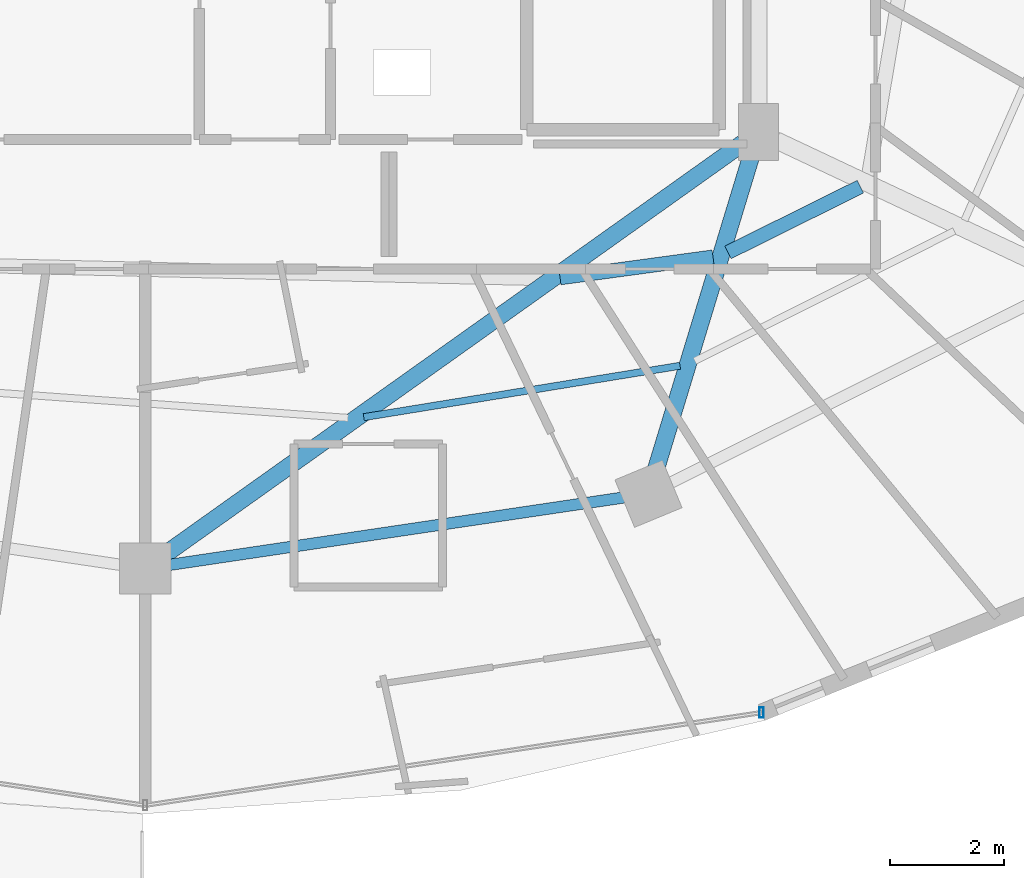
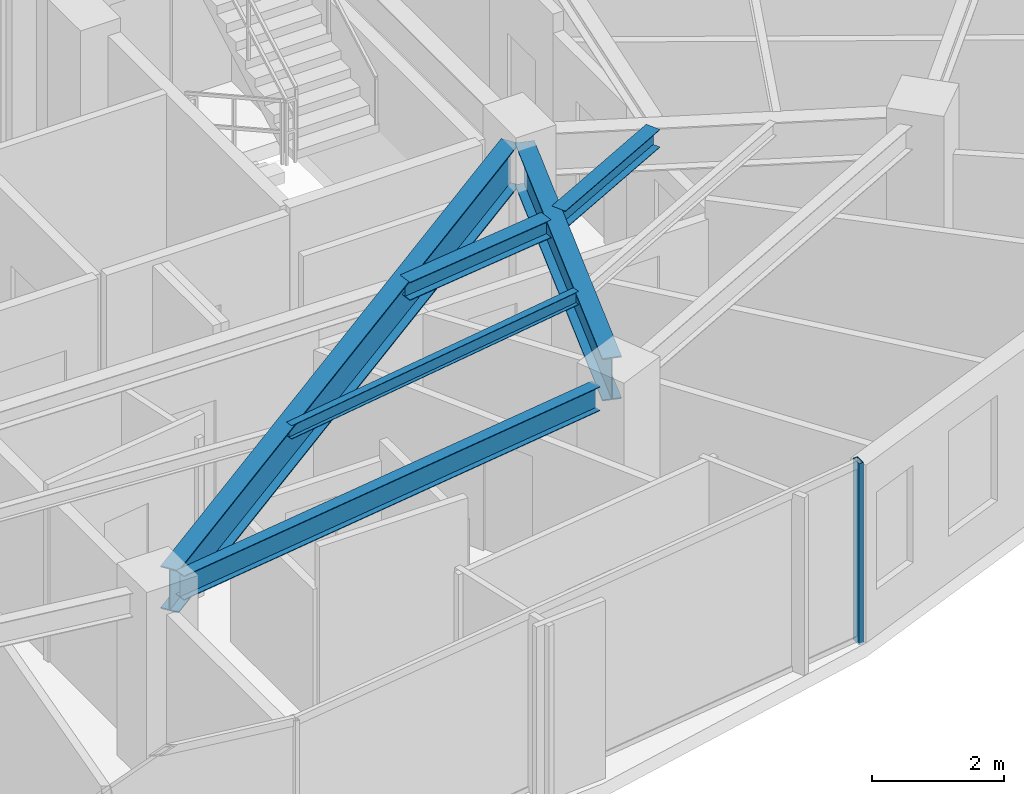
# One storey, part 11 of 32: 6 beams, 1 member, 1 element without a shape of its own.
"""IFC4 building model written with IfcOpenShell, lengths in metres."""

from ifc_helpers import new_model, si_unit, direction, frame, origin, origin_2d, place, context, subcontext, project, spatial, hollow_rectangle, i_section, extrude, material, material_profile, profile_set, type_object, element, aggregate, save


model = new_model("IFC4")

# Units and contexts
model_context = context("Model", 3, precision=1e-05, world=origin(), true_north=direction((0.0, 1.0)))
body_context = subcontext(model_context, "Body", "Model", "MODEL_VIEW")
ifc_project = project(units=[si_unit("LENGTHUNIT", "METRE"), si_unit("AREAUNIT", "SQUARE_METRE"), si_unit("VOLUMEUNIT", "CUBIC_METRE"), si_unit("PLANEANGLEUNIT", "RADIAN"), si_unit("MASSUNIT", "GRAM", prefix="KILO")], contexts=[model_context])

# Site, building, storey
site_placement = place(None, origin())
site = spatial("IfcSite", under=ifc_project, at=site_placement, CompositionType="ELEMENT")
building_placement = place(site_placement, origin())
building = spatial("IfcBuilding", under=site, at=building_placement, Name="Vorneva Point Tower", CompositionType="ELEMENT")
storey_placement = place(building_placement, frame((0.0, 0.0, 207.199951171875)))
storey = spatial("IfcBuildingStorey", under=building, at=storey_placement, Name="L56", CompositionType="ELEMENT", Elevation=207.199951171875)

# Beams
ifc_material_1 = material(Name="Steel S355", Category="steel")
ifc_material_profile_1 = material_profile(ifc_material_1, i_section(OverallWidth=0.300048828125, OverallDepth=0.7880859375, WebThickness=0.014404296875, FlangeThickness=0.02197265625, at=origin_2d()), Name="80Sh1")
ifc_profile_set_1 = profile_set([ifc_material_profile_1], Name="Steel S355")
beam_type_1 = type_object("IfcBeamType", Name="BM-GRD-80Sh1", PredefinedType="USERDEFINED", material=ifc_profile_set_1)
beam_1_placement = place(storey_placement, frame((38.35693359375, 9.053955078125, 2.89599609375), z_axis=(0.814749933852, 0.579812508737, 0.0), x_axis=(-0.579812508737, 0.814749933852, 0.0)))
element("IfcBeam", 1, at=beam_1_placement, inside=storey, type_object=beam_type_1, Name="L56 Radial Primary Girder 13", ObjectType="GIRDER", PredefinedType="USERDEFINED", context=body_context, shape_type="SweptSolid", body=[
    extrude(i_section(OverallWidth=0.300048828125, OverallDepth=0.7880859375, WebThickness=0.014404296875, FlangeThickness=0.02197265625, at=origin_2d()), origin(), (0.0, 0.0, 1.0), 12.416015625),
])
beam_2_placement = place(storey_placement, frame((46.948486328125, 10.5283203125, 2.89599609375), z_axis=(0.291025429135, 0.956715317948, 0.0), x_axis=(-0.956715317948, 0.291025429135, 0.0)))
element("IfcBeam", 2, at=beam_2_placement, inside=storey, type_object=beam_type_1, Name="L56 Radial Primary Girder 14", ObjectType="GIRDER", PredefinedType="USERDEFINED", context=body_context, shape_type="SweptSolid", body=[
    extrude(i_section(OverallWidth=0.300048828125, OverallDepth=0.7880859375, WebThickness=0.014404296875, FlangeThickness=0.02197265625, at=origin_2d()), origin(), (0.0, 0.0, 1.0), 5.849609375),
])
ifc_material_profile_2 = material_profile(ifc_material_1, i_section(OverallWidth=0.1240234375, OverallDepth=0.248046875, WebThickness=0.0048828125, FlangeThickness=0.008056640625, at=origin_2d()), Name="25B1")
ifc_profile_set_2 = profile_set([ifc_material_profile_2], Name="Steel S355")
beam_type_2 = type_object("IfcBeamType", Name="BM-JST-25B1", PredefinedType="JOIST", material=ifc_profile_set_2)
beam_3_placement = place(storey_placement, frame((41.831298828125, 11.451904296875, 3.166015625), z_axis=(0.987040600288, 0.160470724383, 0.0), x_axis=(-0.160470724383, 0.987040600288, 0.0)))
element("IfcBeam", 3, at=beam_3_placement, inside=storey, type_object=beam_type_2, Name="L56 Secondary Floor Beam 1.13", PredefinedType="JOIST", context=body_context, shape_type="SweptSolid", body=[
    extrude(i_section(OverallWidth=0.1240234375, OverallDepth=0.248046875, WebThickness=0.0048828125, FlangeThickness=0.008056640625, at=origin_2d()), origin(), (0.0, 0.0, 1.0), 5.615478515625),
])
ifc_material_profile_3 = material_profile(ifc_material_1, i_section(OverallWidth=0.2490234375, OverallDepth=0.333984375, WebThickness=0.008056640625, FlangeThickness=0.010986328125, at=origin_2d()), Name="35Sh1")
ifc_profile_set_3 = profile_set([ifc_material_profile_3], Name="Steel S355")
beam_type_3 = type_object("IfcBeamType", Name="BM-SEC-35Sh1", PredefinedType="BEAM", material=ifc_profile_set_3)
beam_4_placement = place(storey_placement, frame((45.271484375, 13.895751953125, 3.123046875), z_axis=(0.990931477232, 0.134368178636, 0.0), x_axis=(-0.134368178636, 0.990931477232, 0.0)))
element("IfcBeam", 4, at=beam_4_placement, inside=storey, type_object=beam_type_3, Name="L56 Secondary Floor Beam 2.13", PredefinedType="BEAM", context=body_context, shape_type="SweptSolid", body=[
    extrude(i_section(OverallWidth=0.2490234375, OverallDepth=0.333984375, WebThickness=0.008056640625, FlangeThickness=0.010986328125, at=origin_2d()), origin(), (0.0, 0.0, 1.0), 2.705322265625),
])
beam_5_placement = place(storey_placement, frame((48.212646484375, 14.33935546875, 3.123046875), z_axis=(0.895686614841, 0.444685830666, 0.0), x_axis=(-0.444685830666, 0.895686614841, 0.0)))
element("IfcBeam", 5, at=beam_5_placement, inside=storey, type_object=beam_type_3, Name="L56 Secondary Floor Beam 2.14", PredefinedType="BEAM", context=body_context, shape_type="SweptSolid", body=[
    extrude(i_section(OverallWidth=0.2490234375, OverallDepth=0.333984375, WebThickness=0.008056640625, FlangeThickness=0.010986328125, at=origin_2d()), origin(), (0.0, 0.0, 1.0), 2.59033203125),
])
ifc_material_profile_4 = material_profile(ifc_material_1, i_section(OverallWidth=0.198974609375, OverallDepth=0.446044921875, WebThickness=0.008056640625, FlangeThickness=0.011962890625, at=origin_2d()), Name="45B1")
ifc_profile_set_4 = profile_set([ifc_material_profile_4], Name="Steel S355")
beam_type_4 = type_object("IfcBeamType", Name="BM-SPN-45B1", PredefinedType="SPANDREL", material=ifc_profile_set_4)
beam_6_placement = place(storey_placement, frame((38.430419921875, 8.864013671875, 3.067138671875), z_axis=(0.989165476332, 0.146804837907, 0.0), x_axis=(-0.146804837907, 0.989165476332, 0.0)))
element("IfcBeam", 6, at=beam_6_placement, inside=storey, type_object=beam_type_4, Name="L56 Perimeter Spandrel Ring Beam 13", PredefinedType="SPANDREL", context=body_context, shape_type="SweptSolid", body=[
    extrude(i_section(OverallWidth=0.198974609375, OverallDepth=0.446044921875, WebThickness=0.008056640625, FlangeThickness=0.011962890625, at=origin_2d()), origin(), (0.0, 0.0, 1.0), 8.04736328125),
])

# Curtain wall, member
ifc_material_2 = material(Name="Pale anodised aluminium", Category="aluminium")
curtain_wall_type = type_object("IfcCurtainWallType", Name="CW-RES-SYS", PredefinedType="NOTDEFINED", material=ifc_material_2)
curtain_wall_placement = place(storey_placement, origin())
curtain_wall = element("IfcCurtainWall", 7, at=curtain_wall_placement, inside=storey, type_object=curtain_wall_type, Name="L56 Unitised Curtain Wall CW-L56-R03", PredefinedType="NOTDEFINED")
ifc_material_profile_5 = material_profile(ifc_material_2, hollow_rectangle(XDim=0.074951171875, YDim=0.179931640625, WallThickness=0.00390625, at=origin_2d()), Name="AL-MUL 180x75x4")
ifc_profile_set_5 = profile_set([ifc_material_profile_5], Name="Pale anodised aluminium")
member_type = type_object("IfcMemberType", Name="CW-MUL-180", PredefinedType="MULLION", material=ifc_profile_set_5)
member_placement = place(storey_placement, frame((48.80322265625, 6.275146484375, -0.0400390625), z_axis=(0.0, 0.0, 1.0), x_axis=(1.0, 0.0, 0.0)))
member = element("IfcMember", 8, at=member_placement, type_object=member_type, Name="CW-L56-R03 Mullion 05", PredefinedType="MULLION", context=body_context, shape_type="SweptSolid", body=[
    extrude(hollow_rectangle(XDim=0.074951171875, YDim=0.179931640625, WallThickness=0.00390625, at=origin_2d()), origin(), (0.0, 0.0, 1.0), 3.360107421875),
])
aggregate(curtain_wall, [member])

save(model, "model.ifc")
